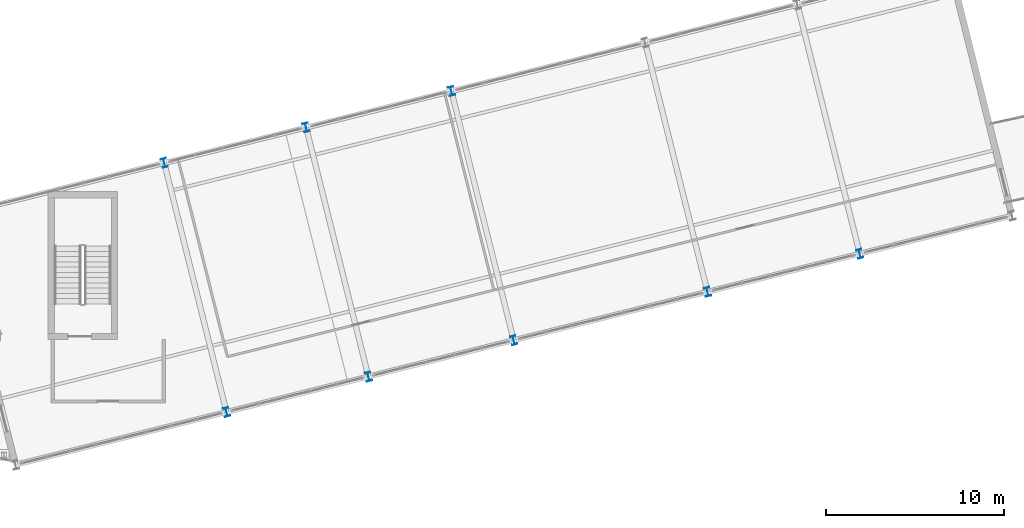
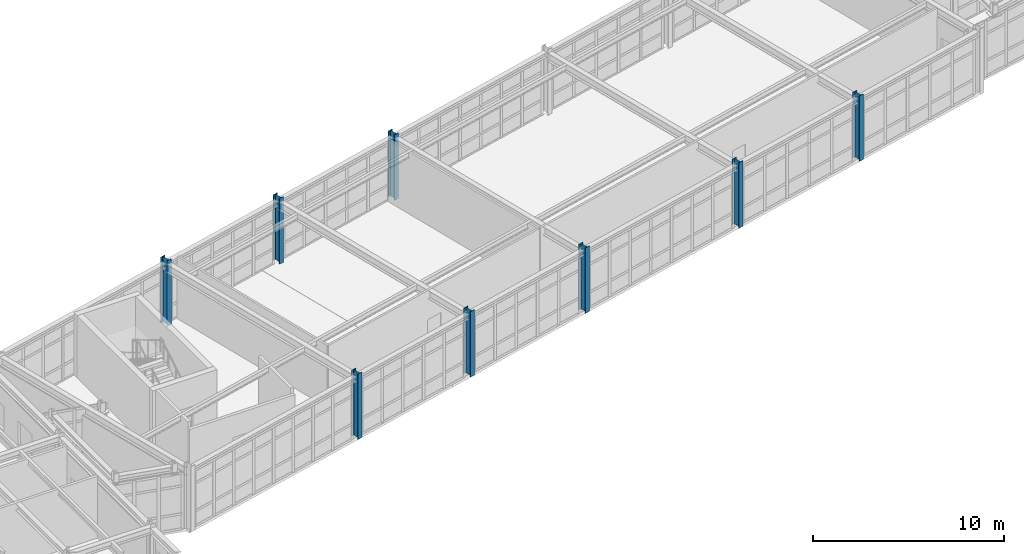
# One storey, part 2 of 88: 8 columns.
"""IFC4 building model written with IfcOpenShell, lengths in metres."""

from ifc_helpers import new_model, si_unit, direction, frame, origin, origin_2d, place, context, subcontext, project, spatial, i_section, extrude, material, material_profile, profile_set, type_object, element, save


model = new_model("IFC4")

# Units and contexts
model_context = context("Model", 3, precision=1e-05, world=origin(), true_north=direction((0.0, 1.0)))
body_context = subcontext(model_context, "Body", "Model", "MODEL_VIEW")
ifc_project = project(units=[si_unit("LENGTHUNIT", "METRE"), si_unit("AREAUNIT", "SQUARE_METRE"), si_unit("VOLUMEUNIT", "CUBIC_METRE"), si_unit("PLANEANGLEUNIT", "RADIAN"), si_unit("MASSUNIT", "GRAM", prefix="KILO")], contexts=[model_context])

# Site, building, storey
site_placement = place(None, origin())
site = spatial("IfcSite", under=ifc_project, at=site_placement, CompositionType="ELEMENT")
building_placement = place(site_placement, origin())
building = spatial("IfcBuilding", under=site, at=building_placement, Name="Nordkorset Police Headquarters", CompositionType="ELEMENT")
storey_placement = place(building_placement, frame((0.0, 0.0, 9.449951171875)))
storey = spatial("IfcBuildingStorey", under=building, at=storey_placement, Name="L02", CompositionType="ELEMENT", Elevation=9.449951171875)

# Columns
ifc_material = material(Name="Steel S355J2", Category="steel")
ifc_material_profile = material_profile(ifc_material, i_section(OverallWidth=0.300048828125, OverallDepth=0.5, WebThickness=0.014404296875, FlangeThickness=0.028076171875, FilletRadius=0.027099609375, at=origin_2d()), Name="HEB 500")
ifc_profile_set = profile_set([ifc_material_profile], Name="Steel S355J2")
column_type = type_object("IfcColumnType", Name="Col_HEB_500", PredefinedType="COLUMN", material=ifc_profile_set)
for number, where, z_axis, x_axis, name in (
    (1, (35.435791015625, 44.958984375, 0.0), (0.0, 0.0, 1.0), (0.970142500145, 0.242535625038, 0.0), "Structural Column V4_U1_V0 L02"),
    (2, (31.943115234375, 58.928955078125, 0.0), (0.0, 0.0, 1.0), (0.970142500145, 0.242535625038, 0.0), "Structural Column V4_U1_V1 L02"),
    (3, (43.390869140625, 46.94775390625, 0.0), (0.0, 0.0, 1.0), (0.970142500145, 0.242535625038, 0.0), "Structural Column V4_U2_V0 L02"),
    (4, (39.8984375, 60.917724609375, 0.0), (0.0, 0.0, 1.0), (0.970142500145, 0.242535625038, 0.0), "Structural Column V4_U2_V1 L02"),
    (5, (51.5400390625, 48.985107421875, 0.0), (0.0, 0.0, 1.0), (0.970142500145, 0.242535625038, 0.0), "Structural Column V4_U3_V0 L02"),
    (6, (48.047607421875, 62.955078125, 0.0), (0.0, 0.0, 1.0), (0.970142500145, 0.242535625038, 0.0), "Structural Column V4_U3_V1 L02"),
    (7, (62.40576171875, 51.701416015625, 0.0), (0.0, 0.0, 1.0), (0.970142500145, 0.242535625038, 0.0), "Structural Column V4_U4_V0 L02"),
    (8, (70.94287109375, 53.835693359375, 0.0), (0.0, 0.0, 1.0), (0.970142500145, 0.242535625038, 0.0), "Structural Column V4_U5_V0 L02"),
):
    element("IfcColumn", number, at=place(storey_placement, frame(where, z_axis=z_axis, x_axis=x_axis)), inside=storey, type_object=column_type, Name=name, PredefinedType="COLUMN", context=body_context, shape_type="SweptSolid", body=[
        extrude(i_section(OverallWidth=0.300048828125, OverallDepth=0.5, WebThickness=0.014404296875, FlangeThickness=0.028076171875, FilletRadius=0.027099609375, at=origin_2d()), origin(), (0.0, 0.0, 1.0), 4.199951171875),
    ])

save(model, "model.ifc")
